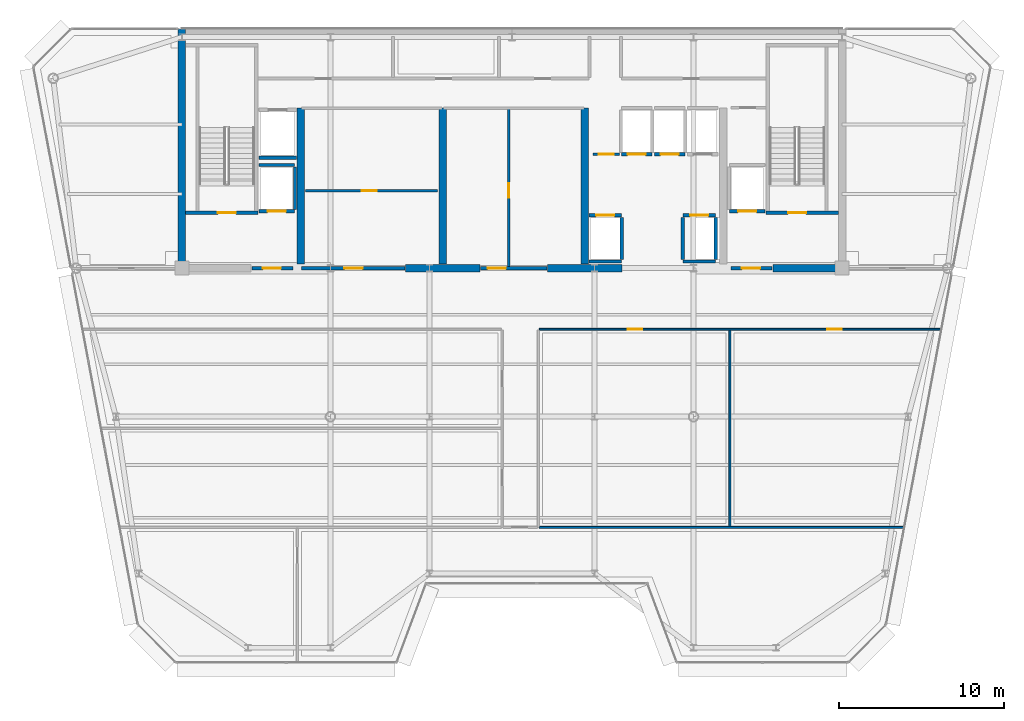
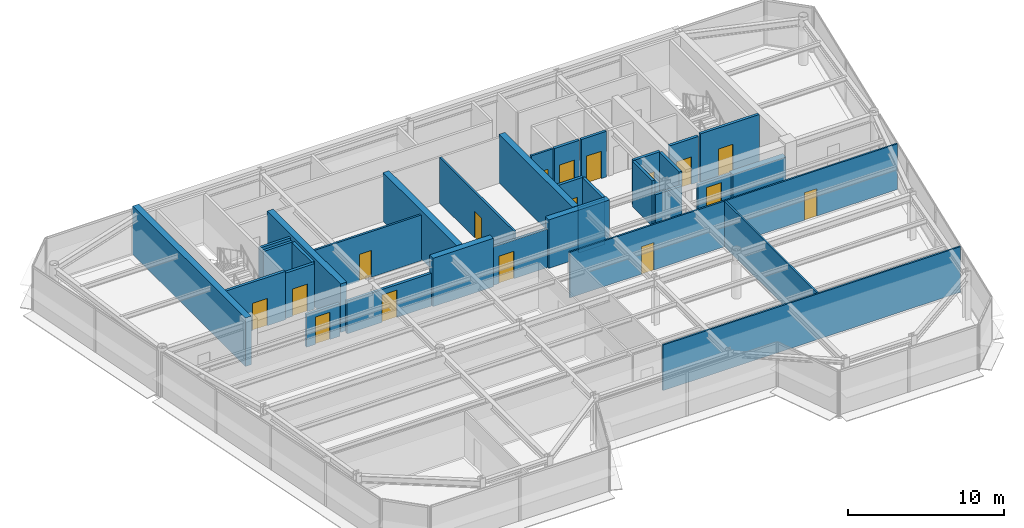
# One storey, part 11 of 19: 33 walls, 17 doors, 17 openings.
"""IFC4 building model written with IfcOpenShell, lengths in metres."""

import ifcopenshell
import ifcopenshell.guid

model = None  # the IFC model being written
_history = None  # IfcOwnerHistory: only IFC2X3 demands one
_inside = {}  # id of a spatial element -> (the spatial element, [elements in it])
_under = {}  # id of a project, library or spatial element -> (it, [spatial elements below it])
_declared = {}  # id of a project -> (the project, [libraries it declares])
_typed = {}  # id of a type object -> (the type object, [elements of that type])
_made_of = {}  # id of a material, layer set ... -> (it, [elements and type objects made of it])


def new_model(schema):
    """Start an empty IFC model of exactly this schema.

    Asked for "IFC4X3", IfcOpenShell would pick the latest addendum, in which some entities
    have other attributes; the version numbers below select the first issue.
    IFC2X3 requires an IfcOwnerHistory on every rooted entity: one is made here for all.
    """
    global model, _history
    if schema == "IFC4X3":
        model = ifcopenshell.file(schema_version=(4, 3, 0, 0))
    else:
        model = ifcopenshell.file(schema=schema)
    _inside.clear()
    _under.clear()
    _declared.clear()
    _typed.clear()
    _made_of.clear()
    _history = None
    if model.schema == "IFC2X3":
        org = make("IfcOrganization", Name="unknown")
        user = make(
            "IfcPersonAndOrganization",
            ThePerson=make("IfcPerson", FamilyName="unknown"),
            TheOrganization=org,
        )
        app = make(
            "IfcApplication",
            ApplicationDeveloper=org,
            Version="unknown",
            ApplicationFullName="unknown",
            ApplicationIdentifier="unknown",
        )
        _history = make(
            "IfcOwnerHistory",
            OwningUser=user,
            OwningApplication=app,
            ChangeAction="ADDED",
            CreationDate=0,
        )
    return model


def make(cls, **values):
    """One entity of the class cls with the attributes given. An attribute that is None is left unset."""
    return model.create_entity(
        cls, **{name: value for name, value in values.items() if value is not None}
    )


def rooted(cls, **values):
    """An entity with a GlobalId (a new one), such as an element, a storey or a relation."""
    return make(cls, GlobalId=ifcopenshell.guid.new(), OwnerHistory=_history, **values)


def si_unit(unit_type, name, prefix=None):
    """IfcSIUnit, for example si_unit("LENGTHUNIT", "METRE", prefix="MILLI")."""
    return make("IfcSIUnit", UnitType=unit_type, Prefix=prefix, Name=name)


def assignment(units):
    """IfcUnitAssignment: the units of a project."""
    return None if units is None else make("IfcUnitAssignment", Units=units)


def point(xyz):
    """IfcCartesianPoint."""
    return None if xyz is None else make("IfcCartesianPoint", Coordinates=xyz)


def direction(xyz):
    """IfcDirection."""
    return None if xyz is None else make("IfcDirection", DirectionRatios=xyz)


def frame(location, z_axis=None, x_axis=None):
    """IfcAxis2Placement3D, a coordinate frame: its origin and axes. An axis left out is left unset."""
    return make(
        "IfcAxis2Placement3D",
        Location=point(location),
        Axis=direction(z_axis),
        RefDirection=direction(x_axis),
    )


def frame_2d(location, x_axis=None):
    """IfcAxis2Placement2D, a coordinate frame in the plane: its origin and x axis."""
    return make(
        "IfcAxis2Placement2D", Location=point(location), RefDirection=direction(x_axis)
    )


def origin():
    """The frame at (0, 0, 0) with its axes left unset."""
    return frame((0.0, 0.0, 0.0))


def place(relative_to, where):
    """IfcLocalPlacement: puts the frame where relative to a parent placement (None: the world)."""
    return make(
        "IfcLocalPlacement", PlacementRelTo=relative_to, RelativePlacement=where
    )


def context(
    kind, dimensions, precision=None, world=None, true_north=None, identifier=None
):
    """IfcGeometricRepresentationContext, for example the 3D "Model" context."""
    return make(
        "IfcGeometricRepresentationContext",
        ContextIdentifier=identifier,
        ContextType=kind,
        CoordinateSpaceDimension=dimensions,
        Precision=precision,
        WorldCoordinateSystem=world,
        TrueNorth=true_north,
    )


def subcontext(parent, identifier, kind, view, scale=None):
    """IfcGeometricRepresentationSubContext, for example "Body" below "Model"."""
    return make(
        "IfcGeometricRepresentationSubContext",
        ContextIdentifier=identifier,
        ContextType=kind,
        ParentContext=parent,
        TargetScale=scale,
        TargetView=view,
    )


def project(units=None, contexts=None):
    """IfcProject with its units and contexts."""
    return rooted(
        "IfcProject",
        Name="project",
        RepresentationContexts=contexts,
        UnitsInContext=assignment(units),
    )


def spatial(cls, under=None, at=None, **own):
    """A site, building, storey or space (cls), placed at a placement, below another one or the project."""
    s = rooted(cls, ObjectPlacement=at, **own)
    if under is not None:
        _under.setdefault(under.id(), (under, []))[1].append(s)
    return s


def profile(cls, at=None, kind="AREA", **sizes):
    """A parametric profile (cls). Its sizes go by their IFC names, for example OverallWidth=200.0."""
    return make(cls, ProfileType=kind, Position=at, **sizes)


def rectangle(**sizes):
    """IfcRectangleProfileDef."""
    return profile("IfcRectangleProfileDef", **sizes)


def extrude(swept, where, along, depth):
    """IfcExtrudedAreaSolid: the profile swept, set in the frame where, extruded along a direction by depth."""
    return make(
        "IfcExtrudedAreaSolid",
        SweptArea=swept,
        Position=where,
        ExtrudedDirection=direction(along),
        Depth=depth,
    )


def shape(context_of_items, identifier, shape_type, items):
    """IfcShapeRepresentation: the items that make up one representation, for example the "Body"."""
    return make(
        "IfcShapeRepresentation",
        ContextOfItems=context_of_items,
        RepresentationIdentifier=identifier,
        RepresentationType=shape_type,
        Items=items,
    )


def source(mapping_origin, context_of_items, identifier, shape_type, items):
    """IfcRepresentationMap: a shape defined once, which mapped items show again and again."""
    return make(
        "IfcRepresentationMap",
        MappingOrigin=mapping_origin,
        MappedRepresentation=shape(context_of_items, identifier, shape_type, items),
    )


def transform(
    local_origin,
    x_axis=None,
    y_axis=None,
    z_axis=None,
    scale=None,
    scale2=None,
    scale3=None,
    uniform=True,
):
    """IfcCartesianTransformationOperator3D, or its non-uniform kind. x_axis, y_axis, z_axis: its Axis1, 2, 3."""
    if uniform:
        return make(
            "IfcCartesianTransformationOperator3D",
            Axis1=direction(x_axis),
            Axis2=direction(y_axis),
            LocalOrigin=point(local_origin),
            Scale=scale,
            Axis3=direction(z_axis),
        )
    return make(
        "IfcCartesianTransformationOperator3DnonUniform",
        Axis1=direction(x_axis),
        Axis2=direction(y_axis),
        LocalOrigin=point(local_origin),
        Scale=scale,
        Axis3=direction(z_axis),
        Scale2=scale2,
        Scale3=scale3,
    )


def mapped(mapping_source, mapping_target):
    """IfcMappedItem: shows the shape of a source again, moved by a transform."""
    return make(
        "IfcMappedItem", MappingSource=mapping_source, MappingTarget=mapping_target
    )


def material(Name=None, Category=None):
    """IfcMaterial."""
    return make("IfcMaterial", Name=Name, Category=Category)


def layer(
    of_material, thickness, ventilated=None, Name=None, Category=None, Priority=None
):
    """IfcMaterialLayer: one layer of a wall or slab, of a material (None: an air gap)."""
    return make(
        "IfcMaterialLayer",
        Material=of_material,
        LayerThickness=thickness,
        IsVentilated=ventilated,
        Name=Name,
        Category=Category,
        Priority=Priority,
    )


def layer_set(layers, Name=None):
    """IfcMaterialLayerSet."""
    return make("IfcMaterialLayerSet", MaterialLayers=layers, LayerSetName=Name)


def made_of(thing, what):
    """Note that an element or type object is made of a material, layer set ...; save() writes the relation."""
    if what is not None:
        _made_of.setdefault(what.id(), (what, []))[1].append(thing)
    return thing


def type_object(cls, material=None, **own):
    """A type object (cls), such as IfcWallType, which elements share."""
    return made_of(rooted(cls, **own), material)


def element(
    cls,
    number,
    at=None,
    inside=None,
    cuts=None,
    type_object=None,
    material=None,
    context=None,
    identifier="Body",
    shape_type=None,
    held_by="IfcProductDefinitionShape",
    body=None,
    shapes=None,
    **own,
):
    """One element of the class cls, such as IfcWall. Its Tag is "e" and its number.

    at: its placement. inside: the storey or other place that contains it. cuts: it is an
    opening in that element (IfcRelVoidsElement). A single representation is given by context,
    identifier, shape_type and body (its items); several are given by shapes. held_by: the class
    of the entity that holds the representations. save() writes the other relations.
    """
    e = rooted(cls, Tag="e%d" % number, ObjectPlacement=at, **own)
    if body is not None:
        shapes = [shape(context, identifier, shape_type, body)]
    if shapes is not None:
        e.Representation = make(held_by, Representations=shapes)
    if inside is not None:
        _inside.setdefault(inside.id(), (inside, []))[1].append(e)
    if cuts is not None:
        rooted(
            "IfcRelVoidsElement", RelatingBuildingElement=cuts, RelatedOpeningElement=e
        )
    if type_object is not None:
        _typed.setdefault(type_object.id(), (type_object, []))[1].append(e)
    return made_of(e, material)


def fill(opening, filler):
    """IfcRelFillsElement: the door or window that sits in an opening."""
    return rooted(
        "IfcRelFillsElement",
        RelatingOpeningElement=opening,
        RelatedBuildingElement=filler,
    )


def aggregate(whole, parts):
    """IfcRelAggregates: a whole, such as a stair, and the parts it consists of."""
    return rooted("IfcRelAggregates", RelatingObject=whole, RelatedObjects=parts)


def save(model, path):
    """Write the relations noted so far, then the file.

    IfcRelAggregates (storeys below a building ...), IfcRelContainedInSpatialStructure (elements
    in a storey), IfcRelDefinesByType, IfcRelAssociatesMaterial and IfcRelDeclares: one each for
    every whole, place, type object, material and project.
    """
    for whole, parts in _under.values():
        aggregate(whole, parts)
    for where, things in _inside.values():
        rooted(
            "IfcRelContainedInSpatialStructure",
            RelatedElements=things,
            RelatingStructure=where,
        )
    for kind, things in _typed.values():
        rooted("IfcRelDefinesByType", RelatedObjects=things, RelatingType=kind)
    for what, things in _made_of.values():
        rooted("IfcRelAssociatesMaterial", RelatedObjects=things, RelatingMaterial=what)
    for by, libraries in _declared.values():
        rooted("IfcRelDeclares", RelatingContext=by, RelatedDefinitions=libraries)
    model.write(path)


model = new_model("IFC4")

# Units and contexts
model_context = context("Model", 3, precision=1e-05, world=origin(), true_north=direction((0.0, 1.0)))
body_context = subcontext(model_context, "Body", "Model", "MODEL_VIEW")
ifc_project = project(units=[si_unit("LENGTHUNIT", "METRE"), si_unit("AREAUNIT", "SQUARE_METRE"), si_unit("VOLUMEUNIT", "CUBIC_METRE"), si_unit("PLANEANGLEUNIT", "RADIAN"), si_unit("MASSUNIT", "GRAM", prefix="KILO")], contexts=[model_context])

# Site, building, storey
site_placement = place(None, origin())
site = spatial("IfcSite", under=ifc_project, at=site_placement, CompositionType="ELEMENT")
building_placement = place(site_placement, origin())
building = spatial("IfcBuilding", under=site, at=building_placement, Name="Vaeldorn Concourse Tower", CompositionType="ELEMENT")
storey_placement = place(building_placement, frame((0.0, 0.0, 272.60009765625)))
storey = spatial("IfcBuildingStorey", under=building, at=storey_placement, Name="L70", CompositionType="ELEMENT", Elevation=272.60009765625)

# Walls
ifc_material_1 = material(Name="Concrete C50/60", Category="concrete")
ifc_layer_1 = layer(ifc_material_1, 0.449951171875)
ifc_layer_set_1 = layer_set([ifc_layer_1], Name="Concrete C50/60")
wall_type_1 = type_object("IfcWallType", Name="WL-CORE-450", PredefinedType="SHEAR", material=ifc_layer_set_1)
wall_1_placement = place(storey_placement, frame((14.0, 36.5, 0.0), z_axis=(0.0, 0.0, 1.0), x_axis=(0.0, 1.0, 0.0)))
element("IfcWall", 1, at=wall_1_placement, inside=storey, type_object=wall_type_1, Name="Rear Core Shear Wall L70 W1", PredefinedType="SHEAR", context=body_context, shape_type="SweptSolid", body=[
    extrude(rectangle(XDim=14.5, YDim=0.449951171875, at=frame_2d((7.25, 0.0))), origin(), (0.0, 0.0, 1.0), 3.7998046875),
])
for number, where, z_axis, x_axis, name in (
    (2, (27.550048828125, 36.5, 0.0), (0.0, 0.0, 1.0), (1.0, 0.0, 0.0), "Rear Core Shear Wall L70 S2"),
    (3, (36.14990234375, 36.5, 0.0), (0.0, 0.0, 1.0), (1.0, 0.0, 0.0), "Rear Core Shear Wall L70 S3"),
):
    element("IfcWall", number, at=place(storey_placement, frame(where, z_axis=z_axis, x_axis=x_axis)), inside=storey, type_object=wall_type_1, Name=name, PredefinedType="SHEAR", context=body_context, shape_type="SweptSolid", body=[
        extrude(rectangle(XDim=4.5, YDim=0.449951171875, at=frame_2d((2.25, 0.0))), origin(), (0.0, 0.0, 1.0), 3.7998046875),
    ])
wall_2_placement = place(storey_placement, frame((49.800048828125, 36.5, 0.0), z_axis=(0.0, 0.0, 1.0), x_axis=(1.0, 0.0, 0.0)))
element("IfcWall", 4, at=wall_2_placement, inside=storey, type_object=wall_type_1, Name="Rear Core Shear Wall L70 S4", PredefinedType="SHEAR", context=body_context, shape_type="SweptSolid", body=[
    extrude(rectangle(XDim=3.954833984375, YDim=0.449951171875, at=frame_2d((1.9775390625, 0.0))), origin(), (0.0, 0.0, 1.0), 2.579833984375),
])
for number, where, z_axis, x_axis, name in (
    (5, (21.199951171875, 36.7451171875, 0.0), (0.0, 0.0, 1.0), (0.0, 1.0, 0.0), "Rear Core Shear Wall L70 M1"),
    (6, (29.800048828125, 36.7451171875, 0.0), (0.0, 0.0, 1.0), (0.0, 1.0, 0.0), "Rear Core Shear Wall L70 M2"),
    (7, (38.39990234375, 36.7451171875, 0.0), (0.0, 0.0, 1.0), (0.0, 1.0, 0.0), "Rear Core Shear Wall L70 M3"),
):
    element("IfcWall", number, at=place(storey_placement, frame(where, z_axis=z_axis, x_axis=x_axis)), inside=storey, type_object=wall_type_1, Name=name, PredefinedType="SHEAR", context=body_context, shape_type="SweptSolid", body=[
        extrude(rectangle(XDim=9.454833984375, YDim=0.449951171875, at=frame_2d((4.7275390625, 0.0))), origin(), (0.0, 0.0, 1.0), 3.7998046875),
    ])

# Wall, openings, doors
ifc_material_2 = material(Name="Gypsum Board Partition", Category="gypsum")
ifc_layer_2 = layer(ifc_material_2, 0.1201171875)
ifc_layer_set_2 = layer_set([ifc_layer_2], Name="Gypsum Board Partition")
wall_type_2 = type_object("IfcWallType", Name="WL-PART-120", PredefinedType="PARTITIONING", material=ifc_layer_set_2)
wall_3_placement = place(storey_placement, frame((35.659912109375, 32.800048828125, 0.0), z_axis=(0.0, 0.0, 1.0), x_axis=(1.0, 0.0, 0.0)))
wall_3 = element("IfcWall", 8, at=wall_3_placement, inside=storey, type_object=wall_type_2, Name="Interior Wall PW-L70-C2SE", PredefinedType="PARTITIONING", context=body_context, shape_type="SweptSolid", body=[
    extrude(rectangle(XDim=24.319580078125, YDim=0.1201171875, at=frame_2d((12.15966796875, 0.0))), origin(), (0.0, 0.0, 1.0), 3.579833984375),
])
opening_1_placement = place(wall_3_placement, frame((5.340087890625, 0.0, 0.0)))
opening_1 = element("IfcOpeningElement", 9, at=opening_1_placement, cuts=wall_3, Name="Opening D-03", PredefinedType="OPENING", context=body_context, shape_type="SweptSolid", body=[
    extrude(rectangle(XDim=0.89990234375, YDim=2.14990234375, at=frame_2d((0.449951171875, 1.074951171875))), frame((0.0, 0.070068359375, 0.0), z_axis=(0.0, -1.0, 0.0), x_axis=(1.0, 0.0, 0.0)), (0.0, 0.0, 1.0), 0.14013671875),
])
opening_2_placement = place(wall_3_placement, frame((17.429931640625, 0.0, 0.0)))
opening_2 = element("IfcOpeningElement", 10, at=opening_2_placement, cuts=wall_3, Name="Opening D-03", PredefinedType="OPENING", context=body_context, shape_type="SweptSolid", body=[
    extrude(rectangle(XDim=0.89990234375, YDim=2.14990234375, at=frame_2d((0.449951171875, 1.074951171875))), frame((0.0, 0.070068359375, 0.0), z_axis=(0.0, -1.0, 0.0), x_axis=(1.0, 0.0, 0.0)), (0.0, 0.0, 1.0), 0.14013671875),
])
ifc_material_3 = material(Name="Acoustic Bronze-Framed Glass Door", Category="glass")
door_type_1 = type_object("IfcDoorType", Name="DR-INT-900", OperationType="NOTDEFINED", PredefinedType="DOOR", material=ifc_material_3)
shared_shape_1 = source(origin(), body_context, "Body", "SweptSolid", [
    extrude(rectangle(XDim=0.89990234375, YDim=2.14990234375, at=frame_2d((0.449951171875, 1.074951171875))), frame((0.0, 0.02490234375, 0.0), z_axis=(0.0, -1.0, 0.0), x_axis=(1.0, 0.0, 0.0)), (0.0, 0.0, 1.0), 0.050048828125),
])
door_1_placement = place(opening_1_placement, origin())
door_1 = element("IfcDoor", 11, at=door_1_placement, inside=storey, type_object=door_type_1, Name="Interior Door DR-L70-Z2E1", OperationType="SINGLE_SWING_RIGHT", OverallHeight=2.14990234375, OverallWidth=0.89990234375, PredefinedType="DOOR", context=body_context, shape_type="MappedRepresentation", body=[
    mapped(shared_shape_1, transform((0.0, 0.0, 0.0), scale=1.0)),
])
fill(opening_1, door_1)
door_2_placement = place(opening_2_placement, origin())
door_2 = element("IfcDoor", 12, at=door_2_placement, inside=storey, type_object=door_type_1, Name="Interior Door DR-L70-Z2E2", OperationType="SINGLE_SWING_LEFT", OverallHeight=2.14990234375, OverallWidth=0.89990234375, PredefinedType="DOOR", context=body_context, shape_type="MappedRepresentation", body=[
    mapped(shared_shape_1, transform((0.0, 0.0, 0.0), scale=1.0)),
])
fill(opening_2, door_2)

# Walls
wall_4_placement = place(storey_placement, frame((35.659912109375, 20.800048828125, 0.0), z_axis=(0.0, 0.0, 1.0), x_axis=(1.0, 0.0, 0.0)))
element("IfcWall", 13, at=wall_4_placement, inside=storey, type_object=wall_type_2, Name="Interior Wall PW-L70-S2EL", PredefinedType="PARTITIONING", context=body_context, shape_type="SweptSolid", body=[
    extrude(rectangle(XDim=22.070068359375, YDim=0.1201171875, at=frame_2d((11.03515625, 0.0))), origin(), (0.0, 0.0, 1.0), 3.579833984375),
])
wall_5_placement = place(storey_placement, frame((47.199951171875, 20.860107421875, 0.0), z_axis=(0.0, 0.0, 1.0), x_axis=(0.0, 1.0, 0.0)))
element("IfcWall", 14, at=wall_5_placement, inside=storey, type_object=wall_type_2, Name="Interior Wall PW-L70-Z2EX1", PredefinedType="PARTITIONING", context=body_context, shape_type="SweptSolid", body=[
    extrude(rectangle(XDim=11.8798828125, YDim=0.1201171875, at=frame_2d((5.93994140625, 0.0))), origin(), (0.0, 0.0, 1.0), 3.579833984375),
])

# Wall, opening, door
ifc_layer_3 = layer(ifc_material_2, 0.14990234375)
ifc_layer_set_3 = layer_set([ifc_layer_3], Name="Gypsum Board Partition")
wall_type_3 = type_object("IfcWallType", Name="WL-PART-150", PredefinedType="PARTITIONING", material=ifc_layer_set_3)
wall_6_placement = place(storey_placement, frame((21.5, 41.199951171875, 0.0), z_axis=(0.0, 0.0, 1.0), x_axis=(1.0, 0.0, 0.0)))
wall_6 = element("IfcWall", 15, at=wall_6_placement, inside=storey, type_object=wall_type_3, Name="Interior Wall CW-L70-R1M", PredefinedType="PARTITIONING", context=body_context, shape_type="SweptSolid", body=[
    extrude(rectangle(XDim=8.0, YDim=0.14990234375, at=frame_2d((4.0, 0.0))), origin(), (0.0, 0.0, 1.0), 3.579833984375),
])
opening_3_placement = place(wall_6_placement, frame((3.39990234375, 0.0, 0.0)))
opening_3 = element("IfcOpeningElement", 16, at=opening_3_placement, cuts=wall_6, Name="Opening D-02", PredefinedType="OPENING", context=body_context, shape_type="SweptSolid", body=[
    extrude(rectangle(XDim=0.89990234375, YDim=2.10009765625, at=frame_2d((0.449951171875, 1.050048828125))), frame((0.0, 0.0849609375, 0.0), z_axis=(0.0, -1.0, 0.0), x_axis=(1.0, 0.0, 0.0)), (0.0, 0.0, 1.0), 0.169921875),
])
ifc_material_4 = material(Name="Fire-Rated Timber Leaf", Category="wood")
door_type_2 = type_object("IfcDoorType", Name="DR-FD30-900", OperationType="NOTDEFINED", PredefinedType="DOOR", material=ifc_material_4)
shared_shape_2 = source(origin(), body_context, "Body", "SweptSolid", [
    extrude(rectangle(XDim=0.89990234375, YDim=2.10009765625, at=frame_2d((0.449951171875, 1.050048828125))), frame((0.0, 0.02490234375, 0.0), z_axis=(0.0, -1.0, 0.0), x_axis=(1.0, 0.0, 0.0)), (0.0, 0.0, 1.0), 0.050048828125),
])
door_3_placement = place(opening_3_placement, origin())
door_3 = element("IfcDoor", 17, at=door_3_placement, inside=storey, type_object=door_type_2, Name="Interior Door DR-L70-R1M", OperationType="SINGLE_SWING_RIGHT", OverallHeight=2.10009765625, OverallWidth=0.89990234375, PredefinedType="DOOR", context=body_context, shape_type="MappedRepresentation", body=[
    mapped(shared_shape_2, transform((0.0, 0.0, 0.0), scale=1.0)),
])
fill(opening_3, door_3)

wall_7_placement = place(storey_placement, frame((33.800048828125, 36.56005859375, 0.0), z_axis=(0.0, 0.0, 1.0), x_axis=(0.0, 1.0, 0.0)))
wall_7 = element("IfcWall", 18, at=wall_7_placement, inside=storey, type_object=wall_type_3, Name="Interior Wall CW-L70-R2M", PredefinedType="PARTITIONING", context=body_context, shape_type="SweptSolid", body=[
    extrude(rectangle(XDim=9.579833984375, YDim=0.14990234375, at=frame_2d((4.7900390625, 0.0))), origin(), (0.0, 0.0, 1.0), 3.579833984375),
])
opening_4_placement = place(wall_7_placement, frame((4.199951171875, 0.0, 0.0)))
opening_4 = element("IfcOpeningElement", 19, at=opening_4_placement, cuts=wall_7, Name="Opening D-02", PredefinedType="OPENING", context=body_context, shape_type="SweptSolid", body=[
    extrude(rectangle(XDim=0.89990234375, YDim=2.10009765625, at=frame_2d((0.449951171875, 1.050048828125))), frame((0.0, 0.0849609375, 0.0), z_axis=(0.0, -1.0, 0.0), x_axis=(1.0, 0.0, 0.0)), (0.0, 0.0, 1.0), 0.169921875),
])
door_4_placement = place(opening_4_placement, origin())
door_4 = element("IfcDoor", 20, at=door_4_placement, inside=storey, type_object=door_type_2, Name="Interior Door DR-L70-R2E", OperationType="SINGLE_SWING_RIGHT", OverallHeight=2.10009765625, OverallWidth=0.89990234375, PredefinedType="DOOR", context=body_context, shape_type="MappedRepresentation", body=[
    mapped(shared_shape_2, transform((0.0, 0.0, 0.0), scale=1.0)),
])
fill(opening_4, door_4)

wall_8_placement = place(storey_placement, frame((38.919921875, 43.39990234375, 0.0), z_axis=(0.0, 0.0, 1.0), x_axis=(1.0, 0.0, 0.0)))
wall_8 = element("IfcWall", 21, at=wall_8_placement, inside=storey, type_object=wall_type_3, Name="Interior Wall CW-L70-CCLINK", PredefinedType="PARTITIONING", context=body_context, shape_type="SweptSolid", body=[
    extrude(rectangle(XDim=1.60009765625, YDim=0.14990234375, at=frame_2d((0.800048828125, 0.0))), origin(), (0.0, 0.0, 1.0), 3.579833984375),
])
opening_5_placement = place(wall_8_placement, frame((0.35009765625, 0.0, 0.0)))
opening_5 = element("IfcOpeningElement", 22, at=opening_5_placement, cuts=wall_8, Name="Opening D-02", PredefinedType="OPENING", context=body_context, shape_type="SweptSolid", body=[
    extrude(rectangle(XDim=0.89990234375, YDim=2.10009765625, at=frame_2d((0.449951171875, 1.050048828125))), frame((0.0, 0.0849609375, 0.0), z_axis=(0.0, -1.0, 0.0), x_axis=(1.0, 0.0, 0.0)), (0.0, 0.0, 1.0), 0.169921875),
])
door_5_placement = place(opening_5_placement, origin())
door_5 = element("IfcDoor", 23, at=door_5_placement, inside=storey, type_object=door_type_2, Name="Interior Door DR-L70-CCLINK", OperationType="SINGLE_SWING_LEFT", OverallHeight=2.10009765625, OverallWidth=0.89990234375, PredefinedType="DOOR", context=body_context, shape_type="MappedRepresentation", body=[
    mapped(shared_shape_2, transform((0.0, 0.0, 0.0), scale=1.0)),
])
fill(opening_5, door_5)

ifc_layer_4 = layer(ifc_material_1, 0.199951171875)
ifc_layer_set_4 = layer_set([ifc_layer_4], Name="Concrete C50/60")
wall_type_4 = type_object("IfcWallType", Name="WL-SHAFT-200", PredefinedType="SOLIDWALL", material=ifc_layer_set_4)
wall_9_placement = place(storey_placement, frame((14.22509765625, 39.85009765625, 0.0), z_axis=(0.0, 0.0, 1.0), x_axis=(1.0, 0.0, 0.0)))
wall_9 = element("IfcWall", 24, at=wall_9_placement, inside=storey, type_object=wall_type_4, Name="Stair Shaft Wall CW-L70-ST-1-S", PredefinedType="SOLIDWALL", context=body_context, shape_type="SweptSolid", body=[
    extrude(rectangle(XDim=4.375, YDim=0.199951171875, at=frame_2d((2.1875, 0.0))), origin(), (0.0, 0.0, 1.0), 3.7998046875),
])
opening_6_placement = place(wall_9_placement, frame((1.949951171875, 0.0, 0.0)))
opening_6 = element("IfcOpeningElement", 25, at=opening_6_placement, cuts=wall_9, Name="Opening D-01", PredefinedType="OPENING", context=body_context, shape_type="SweptSolid", body=[
    extrude(rectangle(XDim=1.10009765625, YDim=2.14990234375, at=frame_2d((0.550048828125, 1.074951171875))), frame((0.0, 0.10986328125, 0.0), z_axis=(0.0, -1.0, 0.0), x_axis=(1.0, 0.0, 0.0)), (0.0, 0.0, 1.0), 0.219970703125),
])
ifc_material_5 = material(Name="Fire-Rated Timber and Steel Leaf", Category="steel")
door_type_3 = type_object("IfcDoorType", Name="DR-FD60-1100", OperationType="NOTDEFINED", PredefinedType="DOOR", material=ifc_material_5)
shared_shape_3 = source(origin(), body_context, "Body", "SweptSolid", [
    extrude(rectangle(XDim=1.10009765625, YDim=2.14990234375, at=frame_2d((0.550048828125, 1.074951171875))), frame((0.0, 0.02490234375, 0.0), z_axis=(0.0, -1.0, 0.0), x_axis=(1.0, 0.0, 0.0)), (0.0, 0.0, 1.0), 0.050048828125),
])
door_6_placement = place(opening_6_placement, origin())
door_6 = element("IfcDoor", 26, at=door_6_placement, inside=storey, type_object=door_type_3, Name="Interior Door DR-L70-ST-1", OperationType="SINGLE_SWING_LEFT", OverallHeight=2.14990234375, OverallWidth=1.10009765625, PredefinedType="DOOR", context=body_context, shape_type="MappedRepresentation", body=[
    mapped(shared_shape_3, transform((0.0, 0.0, 0.0), scale=1.0)),
])
fill(opening_6, door_6)

wall_10_placement = place(storey_placement, frame((49.39990234375, 39.85009765625, 0.0), z_axis=(0.0, 0.0, 1.0), x_axis=(1.0, 0.0, 0.0)))
wall_10 = element("IfcWall", 27, at=wall_10_placement, inside=storey, type_object=wall_type_4, Name="Stair Shaft Wall CW-L70-ST-2-S", PredefinedType="SOLIDWALL", context=body_context, shape_type="SweptSolid", body=[
    extrude(rectangle(XDim=4.375, YDim=0.199951171875, at=frame_2d((2.1875, 0.0))), origin(), (0.0, 0.0, 1.0), 3.7998046875),
])
opening_7_placement = place(wall_10_placement, frame((1.324951171875, 0.0, 0.0)))
opening_7 = element("IfcOpeningElement", 28, at=opening_7_placement, cuts=wall_10, Name="Opening D-01", PredefinedType="OPENING", context=body_context, shape_type="SweptSolid", body=[
    extrude(rectangle(XDim=1.10009765625, YDim=2.14990234375, at=frame_2d((0.550048828125, 1.074951171875))), frame((0.0, 0.10986328125, 0.0), z_axis=(0.0, -1.0, 0.0), x_axis=(1.0, 0.0, 0.0)), (0.0, 0.0, 1.0), 0.219970703125),
])
door_7_placement = place(opening_7_placement, origin())
door_7 = element("IfcDoor", 29, at=door_7_placement, inside=storey, type_object=door_type_3, Name="Interior Door DR-L70-ST-2", OperationType="SINGLE_SWING_RIGHT", OverallHeight=2.14990234375, OverallWidth=1.10009765625, PredefinedType="DOOR", context=body_context, shape_type="MappedRepresentation", body=[
    mapped(shared_shape_3, transform((0.0, 0.0, 0.0), scale=1.0)),
])
fill(opening_7, door_7)

wall_11_placement = place(storey_placement, frame((18.25, 36.5, 0.0), z_axis=(0.0, 0.0, 1.0), x_axis=(1.0, 0.0, 0.0)))
wall_11 = element("IfcWall", 30, at=wall_11_placement, inside=storey, type_object=wall_type_4, Name="Interior Wall CW-L70-FF1S", PredefinedType="SOLIDWALL", context=body_context, shape_type="SweptSolid", body=[
    extrude(rectangle(XDim=2.469970703125, YDim=0.199951171875, at=frame_2d((1.23486328125, 0.0))), origin(), (0.0, 0.0, 1.0), 2.56982421875),
])
opening_8_placement = place(wall_11_placement, frame((0.64990234375, 0.0, 0.0)))
opening_8 = element("IfcOpeningElement", 31, at=opening_8_placement, cuts=wall_11, Name="Opening D-01", PredefinedType="OPENING", context=body_context, shape_type="SweptSolid", body=[
    extrude(rectangle(XDim=1.10009765625, YDim=2.14990234375, at=frame_2d((0.550048828125, 1.074951171875))), frame((0.0, 0.10986328125, 0.0), z_axis=(0.0, -1.0, 0.0), x_axis=(1.0, 0.0, 0.0)), (0.0, 0.0, 1.0), 0.219970703125),
])
door_8_placement = place(opening_8_placement, origin())
door_8 = element("IfcDoor", 32, at=door_8_placement, inside=storey, type_object=door_type_3, Name="Interior Door DR-L70-FF1E", OperationType="SINGLE_SWING_RIGHT", OverallHeight=2.14990234375, OverallWidth=1.10009765625, PredefinedType="DOOR", context=body_context, shape_type="MappedRepresentation", body=[
    mapped(shared_shape_3, transform((0.0, 0.0, 0.0), scale=1.0)),
])
fill(opening_8, door_8)

wall_12_placement = place(storey_placement, frame((47.280029296875, 36.5, 0.0), z_axis=(0.0, 0.0, 1.0), x_axis=(1.0, 0.0, 0.0)))
wall_12 = element("IfcWall", 33, at=wall_12_placement, inside=storey, type_object=wall_type_4, Name="Interior Wall CW-L70-FF2S", PredefinedType="SOLIDWALL", context=body_context, shape_type="SweptSolid", body=[
    extrude(rectangle(XDim=2.469970703125, YDim=0.199951171875, at=frame_2d((1.23486328125, 0.0))), origin(), (0.0, 0.0, 1.0), 2.56982421875),
])
opening_9_placement = place(wall_12_placement, frame((0.64990234375, 0.0, 0.0)))
opening_9 = element("IfcOpeningElement", 34, at=opening_9_placement, cuts=wall_12, Name="Opening D-01", PredefinedType="OPENING", context=body_context, shape_type="SweptSolid", body=[
    extrude(rectangle(XDim=1.10009765625, YDim=2.14990234375, at=frame_2d((0.550048828125, 1.074951171875))), frame((0.0, 0.10986328125, 0.0), z_axis=(0.0, -1.0, 0.0), x_axis=(1.0, 0.0, 0.0)), (0.0, 0.0, 1.0), 0.219970703125),
])
door_9_placement = place(opening_9_placement, origin())
door_9 = element("IfcDoor", 35, at=door_9_placement, inside=storey, type_object=door_type_3, Name="Interior Door DR-L70-FF2W", OperationType="SINGLE_SWING_LEFT", OverallHeight=2.14990234375, OverallWidth=1.10009765625, PredefinedType="DOOR", context=body_context, shape_type="MappedRepresentation", body=[
    mapped(shared_shape_3, transform((0.0, 0.0, 0.0), scale=1.0)),
])
fill(opening_9, door_9)

wall_13_placement = place(storey_placement, frame((38.669921875, 39.699951171875, 0.0), z_axis=(0.0, 0.0, 1.0), x_axis=(1.0, 0.0, 0.0)))
wall_13 = element("IfcWall", 36, at=wall_13_placement, inside=storey, type_object=wall_type_4, Name="Interior Wall CW-L70-LF-LF-13", PredefinedType="SOLIDWALL", context=body_context, shape_type="SweptSolid", body=[
    extrude(rectangle(XDim=1.9599609375, YDim=0.199951171875, at=frame_2d((0.97998046875, 0.0))), origin(), (0.0, 0.0, 1.0), 3.579833984375),
])
opening_10_placement = place(wall_13_placement, frame((0.429931640625, 0.0, 0.0)))
opening_10 = element("IfcOpeningElement", 37, at=opening_10_placement, cuts=wall_13, Name="Opening LD-1", PredefinedType="OPENING", context=body_context, shape_type="SweptSolid", body=[
    extrude(rectangle(XDim=1.10009765625, YDim=2.14990234375, at=frame_2d((0.550048828125, 1.074951171875))), frame((0.0, 0.10986328125, 0.0), z_axis=(0.0, -1.0, 0.0), x_axis=(1.0, 0.0, 0.0)), (0.0, 0.0, 1.0), 0.219970703125),
])
ifc_material_6 = material(Name="Anodised Bronze Aluminium", Category="aluminium")
door_type_4 = type_object("IfcDoorType", Name="DR-LIFT-SLIDE-1100", OperationType="DOUBLE_DOOR_SLIDING", PredefinedType="DOOR", material=ifc_material_6)
door_10_placement = place(opening_10_placement, origin())
door_10 = element("IfcDoor", 38, at=door_10_placement, inside=storey, type_object=door_type_4, Name="Lift Landing Door LD-L70-LF-13", OperationType="DOUBLE_DOOR_SLIDING", OverallHeight=2.14990234375, OverallWidth=1.10009765625, PredefinedType="DOOR", context=body_context, shape_type="MappedRepresentation", body=[
    mapped(shared_shape_3, transform((0.0, 0.0, 0.0), scale=1.0)),
])
fill(opening_10, door_10)

# Walls
wall_14_placement = place(storey_placement, frame((38.669921875, 36.89990234375, 0.0), z_axis=(0.0, 0.0, 1.0), x_axis=(1.0, 0.0, 0.0)))
element("IfcWall", 39, at=wall_14_placement, inside=storey, type_object=wall_type_4, Name="Interior Wall CW-L70-LFB-LF-13", PredefinedType="SOLIDWALL", context=body_context, shape_type="SweptSolid", body=[
    extrude(rectangle(XDim=1.9599609375, YDim=0.199951171875, at=frame_2d((0.97998046875, 0.0))), origin(), (0.0, 0.0, 1.0), 3.579833984375),
])
wall_15_placement = place(storey_placement, frame((40.64990234375, 37.02001953125, 0.0), z_axis=(0.0, 0.0, 1.0), x_axis=(0.0, 1.0, 0.0)))
element("IfcWall", 40, at=wall_15_placement, inside=storey, type_object=wall_type_4, Name="Interior Wall CW-L70-LFE-LF-13", PredefinedType="SOLIDWALL", context=body_context, shape_type="SweptSolid", body=[
    extrude(rectangle(XDim=2.56005859375, YDim=0.199951171875, at=frame_2d((1.280029296875, 0.0))), origin(), (0.0, 0.0, 1.0), 3.579833984375),
])

# Wall, opening, door
wall_16_placement = place(storey_placement, frame((44.3701171875, 39.699951171875, 0.0), z_axis=(0.0, 0.0, 1.0), x_axis=(1.0, 0.0, 0.0)))
wall_16 = element("IfcWall", 41, at=wall_16_placement, inside=storey, type_object=wall_type_4, Name="Interior Wall CW-L70-LF-LF-14", PredefinedType="SOLIDWALL", context=body_context, shape_type="SweptSolid", body=[
    extrude(rectangle(XDim=1.9599609375, YDim=0.199951171875, at=frame_2d((0.97998046875, 0.0))), origin(), (0.0, 0.0, 1.0), 3.579833984375),
])
opening_11_placement = place(wall_16_placement, frame((0.429931640625, 0.0, 0.0)))
opening_11 = element("IfcOpeningElement", 42, at=opening_11_placement, cuts=wall_16, Name="Opening LD-1", PredefinedType="OPENING", context=body_context, shape_type="SweptSolid", body=[
    extrude(rectangle(XDim=1.10009765625, YDim=2.14990234375, at=frame_2d((0.550048828125, 1.074951171875))), frame((0.0, 0.10986328125, 0.0), z_axis=(0.0, -1.0, 0.0), x_axis=(1.0, 0.0, 0.0)), (0.0, 0.0, 1.0), 0.219970703125),
])
door_11_placement = place(opening_11_placement, origin())
door_11 = element("IfcDoor", 43, at=door_11_placement, inside=storey, type_object=door_type_4, Name="Lift Landing Door LD-L70-LF-14", OperationType="DOUBLE_DOOR_SLIDING", OverallHeight=2.14990234375, OverallWidth=1.10009765625, PredefinedType="DOOR", context=body_context, shape_type="MappedRepresentation", body=[
    mapped(shared_shape_3, transform((0.0, 0.0, 0.0), scale=1.0)),
])
fill(opening_11, door_11)

# Walls
wall_17_placement = place(storey_placement, frame((44.3701171875, 36.89990234375, 0.0), z_axis=(0.0, 0.0, 1.0), x_axis=(1.0, 0.0, 0.0)))
element("IfcWall", 44, at=wall_17_placement, inside=storey, type_object=wall_type_4, Name="Interior Wall CW-L70-LFB-LF-14", PredefinedType="SOLIDWALL", context=body_context, shape_type="SweptSolid", body=[
    extrude(rectangle(XDim=1.9599609375, YDim=0.199951171875, at=frame_2d((0.97998046875, 0.0))), origin(), (0.0, 0.0, 1.0), 2.56982421875),
])
for number, where, z_axis, x_axis, name in (
    (45, (44.35009765625, 37.02001953125, 0.0), (0.0, 0.0, 1.0), (0.0, 1.0, 0.0), "Interior Wall CW-L70-LFW-LF-14"),
    (46, (46.35009765625, 37.02001953125, 0.0), (0.0, 0.0, 1.0), (0.0, 1.0, 0.0), "Interior Wall CW-L70-LFE-LF-14"),
):
    element("IfcWall", number, at=place(storey_placement, frame(where, z_axis=z_axis, x_axis=x_axis)), inside=storey, type_object=wall_type_4, Name=name, PredefinedType="SOLIDWALL", context=body_context, shape_type="SweptSolid", body=[
        extrude(rectangle(XDim=2.56005859375, YDim=0.199951171875, at=frame_2d((1.280029296875, 0.0))), origin(), (0.0, 0.0, 1.0), 3.579833984375),
    ])

# Wall, opening, door
wall_18_placement = place(storey_placement, frame((40.6201171875, 43.39990234375, 0.0), z_axis=(0.0, 0.0, 1.0), x_axis=(1.0, 0.0, 0.0)))
wall_18 = element("IfcWall", 47, at=wall_18_placement, inside=storey, type_object=wall_type_4, Name="Interior Wall CW-L70-LF-LF-15", PredefinedType="SOLIDWALL", context=body_context, shape_type="SweptSolid", body=[
    extrude(rectangle(XDim=1.85986328125, YDim=0.199951171875, at=frame_2d((0.929931640625, 0.0))), origin(), (0.0, 0.0, 1.0), 3.579833984375),
])
opening_12_placement = place(wall_18_placement, frame((0.3798828125, 0.0, 0.0)))
opening_12 = element("IfcOpeningElement", 48, at=opening_12_placement, cuts=wall_18, Name="Opening LD-1", PredefinedType="OPENING", context=body_context, shape_type="SweptSolid", body=[
    extrude(rectangle(XDim=1.10009765625, YDim=2.14990234375, at=frame_2d((0.550048828125, 1.074951171875))), frame((0.0, 0.10986328125, 0.0), z_axis=(0.0, -1.0, 0.0), x_axis=(1.0, 0.0, 0.0)), (0.0, 0.0, 1.0), 0.219970703125),
])
door_12_placement = place(opening_12_placement, origin())
door_12 = element("IfcDoor", 49, at=door_12_placement, inside=storey, type_object=door_type_4, Name="Lift Landing Door LD-L70-LF-15", OperationType="DOUBLE_DOOR_SLIDING", OverallHeight=2.14990234375, OverallWidth=1.10009765625, PredefinedType="DOOR", context=body_context, shape_type="MappedRepresentation", body=[
    mapped(shared_shape_3, transform((0.0, 0.0, 0.0), scale=1.0)),
])
fill(opening_12, door_12)

wall_19_placement = place(storey_placement, frame((42.6201171875, 43.39990234375, 0.0), z_axis=(0.0, 0.0, 1.0), x_axis=(1.0, 0.0, 0.0)))
wall_19 = element("IfcWall", 50, at=wall_19_placement, inside=storey, type_object=wall_type_4, Name="Interior Wall CW-L70-LF-LF-16", PredefinedType="SOLIDWALL", context=body_context, shape_type="SweptSolid", body=[
    extrude(rectangle(XDim=1.85986328125, YDim=0.199951171875, at=frame_2d((0.929931640625, 0.0))), origin(), (0.0, 0.0, 1.0), 3.579833984375),
])
opening_13_placement = place(wall_19_placement, frame((0.3798828125, 0.0, 0.0)))
opening_13 = element("IfcOpeningElement", 51, at=opening_13_placement, cuts=wall_19, Name="Opening LD-1", PredefinedType="OPENING", context=body_context, shape_type="SweptSolid", body=[
    extrude(rectangle(XDim=1.10009765625, YDim=2.14990234375, at=frame_2d((0.550048828125, 1.074951171875))), frame((0.0, 0.10986328125, 0.0), z_axis=(0.0, -1.0, 0.0), x_axis=(1.0, 0.0, 0.0)), (0.0, 0.0, 1.0), 0.219970703125),
])
door_13_placement = place(opening_13_placement, origin())
door_13 = element("IfcDoor", 52, at=door_13_placement, inside=storey, type_object=door_type_4, Name="Lift Landing Door LD-L70-LF-16", OperationType="DOUBLE_DOOR_SLIDING", OverallHeight=2.14990234375, OverallWidth=1.10009765625, PredefinedType="DOOR", context=body_context, shape_type="MappedRepresentation", body=[
    mapped(shared_shape_3, transform((0.0, 0.0, 0.0), scale=1.0)),
])
fill(opening_13, door_13)

# Wall
wall_20_placement = place(storey_placement, frame((18.669921875, 43.199951171875, 0.0), z_axis=(0.0, 0.0, 1.0), x_axis=(1.0, 0.0, 0.0)))
element("IfcWall", 53, at=wall_20_placement, inside=storey, type_object=wall_type_4, Name="Interior Wall CW-L70-LFB-LF-SV1", PredefinedType="SOLIDWALL", context=body_context, shape_type="SweptSolid", body=[
    extrude(rectangle(XDim=2.260009765625, YDim=0.199951171875, at=frame_2d((1.1298828125, 0.0))), origin(), (0.0, 0.0, 1.0), 3.579833984375),
])

# Wall, opening, door
wall_21_placement = place(storey_placement, frame((18.669921875, 39.949951171875, 0.0), z_axis=(0.0, 0.0, 1.0), x_axis=(1.0, 0.0, 0.0)))
wall_21 = element("IfcWall", 54, at=wall_21_placement, inside=storey, type_object=wall_type_4, Name="Interior Wall CW-L70-LF-LF-FF1", PredefinedType="SOLIDWALL", context=body_context, shape_type="SweptSolid", body=[
    extrude(rectangle(XDim=2.16015625, YDim=0.199951171875, at=frame_2d((1.080078125, 0.0))), origin(), (0.0, 0.0, 1.0), 3.579833984375),
])
opening_14_placement = place(wall_21_placement, frame((0.530029296875, 0.0, 0.0)))
opening_14 = element("IfcOpeningElement", 55, at=opening_14_placement, cuts=wall_21, Name="Opening LD-1", PredefinedType="OPENING", context=body_context, shape_type="SweptSolid", body=[
    extrude(rectangle(XDim=1.10009765625, YDim=2.14990234375, at=frame_2d((0.550048828125, 1.074951171875))), frame((0.0, 0.10986328125, 0.0), z_axis=(0.0, -1.0, 0.0), x_axis=(1.0, 0.0, 0.0)), (0.0, 0.0, 1.0), 0.219970703125),
])
door_14_placement = place(opening_14_placement, origin())
door_14 = element("IfcDoor", 56, at=door_14_placement, inside=storey, type_object=door_type_4, Name="Lift Landing Door LD-L70-LF-FF1", OperationType="DOUBLE_DOOR_SLIDING", OverallHeight=2.14990234375, OverallWidth=1.10009765625, PredefinedType="DOOR", context=body_context, shape_type="MappedRepresentation", body=[
    mapped(shared_shape_3, transform((0.0, 0.0, 0.0), scale=1.0)),
])
fill(opening_14, door_14)

# Walls
wall_22_placement = place(storey_placement, frame((18.669921875, 42.75, 0.0), z_axis=(0.0, 0.0, 1.0), x_axis=(1.0, 0.0, 0.0)))
element("IfcWall", 57, at=wall_22_placement, inside=storey, type_object=wall_type_4, Name="Interior Wall CW-L70-LFB-LF-FF1", PredefinedType="SOLIDWALL", context=body_context, shape_type="SweptSolid", body=[
    extrude(rectangle(XDim=2.16015625, YDim=0.199951171875, at=frame_2d((1.080078125, 0.0))), origin(), (0.0, 0.0, 1.0), 3.579833984375),
])
wall_23_placement = place(storey_placement, frame((20.85009765625, 40.070068359375, 0.0), z_axis=(0.0, 0.0, 1.0), x_axis=(0.0, 1.0, 0.0)))
element("IfcWall", 58, at=wall_23_placement, inside=storey, type_object=wall_type_4, Name="Interior Wall CW-L70-LFE-LF-FF1", PredefinedType="SOLIDWALL", context=body_context, shape_type="SweptSolid", body=[
    extrude(rectangle(XDim=2.559814453125, YDim=0.199951171875, at=frame_2d((1.27978515625, 0.0))), origin(), (0.0, 0.0, 1.0), 3.579833984375),
])

# Wall, opening, door
wall_24_placement = place(storey_placement, frame((47.169921875, 39.949951171875, 0.0), z_axis=(0.0, 0.0, 1.0), x_axis=(1.0, 0.0, 0.0)))
wall_24 = element("IfcWall", 59, at=wall_24_placement, inside=storey, type_object=wall_type_4, Name="Interior Wall CW-L70-LF-LF-FF2", PredefinedType="SOLIDWALL", context=body_context, shape_type="SweptSolid", body=[
    extrude(rectangle(XDim=2.16015625, YDim=0.199951171875, at=frame_2d((1.080078125, 0.0))), origin(), (0.0, 0.0, 1.0), 3.579833984375),
])
opening_15_placement = place(wall_24_placement, frame((0.530029296875, 0.0, 0.0)))
opening_15 = element("IfcOpeningElement", 60, at=opening_15_placement, cuts=wall_24, Name="Opening LD-1", PredefinedType="OPENING", context=body_context, shape_type="SweptSolid", body=[
    extrude(rectangle(XDim=1.10009765625, YDim=2.14990234375, at=frame_2d((0.550048828125, 1.074951171875))), frame((0.0, 0.10986328125, 0.0), z_axis=(0.0, -1.0, 0.0), x_axis=(1.0, 0.0, 0.0)), (0.0, 0.0, 1.0), 0.219970703125),
])
door_15_placement = place(opening_15_placement, origin())
door_15 = element("IfcDoor", 61, at=door_15_placement, inside=storey, type_object=door_type_4, Name="Lift Landing Door LD-L70-LF-FF2", OperationType="DOUBLE_DOOR_SLIDING", OverallHeight=2.14990234375, OverallWidth=1.10009765625, PredefinedType="DOOR", context=body_context, shape_type="MappedRepresentation", body=[
    mapped(shared_shape_3, transform((0.0, 0.0, 0.0), scale=1.0)),
])
fill(opening_15, door_15)

wall_25_placement = place(storey_placement, frame((21.25, 36.5, 0.0), z_axis=(0.0, 0.0, 1.0), x_axis=(1.0, 0.0, 0.0)))
wall_25 = element("IfcWall", 62, at=wall_25_placement, inside=storey, type_object=wall_type_4, Name="Interior Wall CW-L70-R1S", PredefinedType="SOLIDWALL", context=body_context, shape_type="SweptSolid", body=[
    extrude(rectangle(XDim=6.27001953125, YDim=0.199951171875, at=frame_2d((3.135009765625, 0.0))), origin(), (0.0, 0.0, 1.0), 2.56982421875),
])
opening_16_placement = place(wall_25_placement, frame((2.60009765625, 0.0, 0.0)))
opening_16 = element("IfcOpeningElement", 63, at=opening_16_placement, cuts=wall_25, Name="Opening D-01", PredefinedType="OPENING", context=body_context, shape_type="SweptSolid", body=[
    extrude(rectangle(XDim=1.10009765625, YDim=2.14990234375, at=frame_2d((0.550048828125, 1.074951171875))), frame((0.0, 0.10986328125, 0.0), z_axis=(0.0, -1.0, 0.0), x_axis=(1.0, 0.0, 0.0)), (0.0, 0.0, 1.0), 0.219970703125),
])
door_16_placement = place(opening_16_placement, origin())
door_16 = element("IfcDoor", 64, at=door_16_placement, inside=storey, type_object=door_type_3, Name="Interior Door DR-L70-R1S", OperationType="SINGLE_SWING_LEFT", OverallHeight=2.14990234375, OverallWidth=1.10009765625, PredefinedType="DOOR", context=body_context, shape_type="MappedRepresentation", body=[
    mapped(shared_shape_3, transform((0.0, 0.0, 0.0), scale=1.0)),
])
fill(opening_16, door_16)

wall_26_placement = place(storey_placement, frame((32.080078125, 36.5, 0.0), z_axis=(0.0, 0.0, 1.0), x_axis=(1.0, 0.0, 0.0)))
wall_26 = element("IfcWall", 65, at=wall_26_placement, inside=storey, type_object=wall_type_4, Name="Interior Wall CW-L70-R2S", PredefinedType="SOLIDWALL", context=body_context, shape_type="SweptSolid", body=[
    extrude(rectangle(XDim=4.0400390625, YDim=0.199951171875, at=frame_2d((2.02001953125, 0.0))), origin(), (0.0, 0.0, 1.0), 3.02001953125),
])
opening_17_placement = place(wall_26_placement, frame((0.449951171875, 0.0, 0.0)))
opening_17 = element("IfcOpeningElement", 66, at=opening_17_placement, cuts=wall_26, Name="Opening D-01", PredefinedType="OPENING", context=body_context, shape_type="SweptSolid", body=[
    extrude(rectangle(XDim=1.10009765625, YDim=2.14990234375, at=frame_2d((0.550048828125, 1.074951171875))), frame((0.0, 0.10986328125, 0.0), z_axis=(0.0, -1.0, 0.0), x_axis=(1.0, 0.0, 0.0)), (0.0, 0.0, 1.0), 0.219970703125),
])
door_17_placement = place(opening_17_placement, origin())
door_17 = element("IfcDoor", 67, at=door_17_placement, inside=storey, type_object=door_type_3, Name="Interior Door DR-L70-R2W", OperationType="SINGLE_SWING_LEFT", OverallHeight=2.14990234375, OverallWidth=1.10009765625, PredefinedType="DOOR", context=body_context, shape_type="MappedRepresentation", body=[
    mapped(shared_shape_3, transform((0.0, 0.0, 0.0), scale=1.0)),
])
fill(opening_17, door_17)

save(model, "model.ifc")
